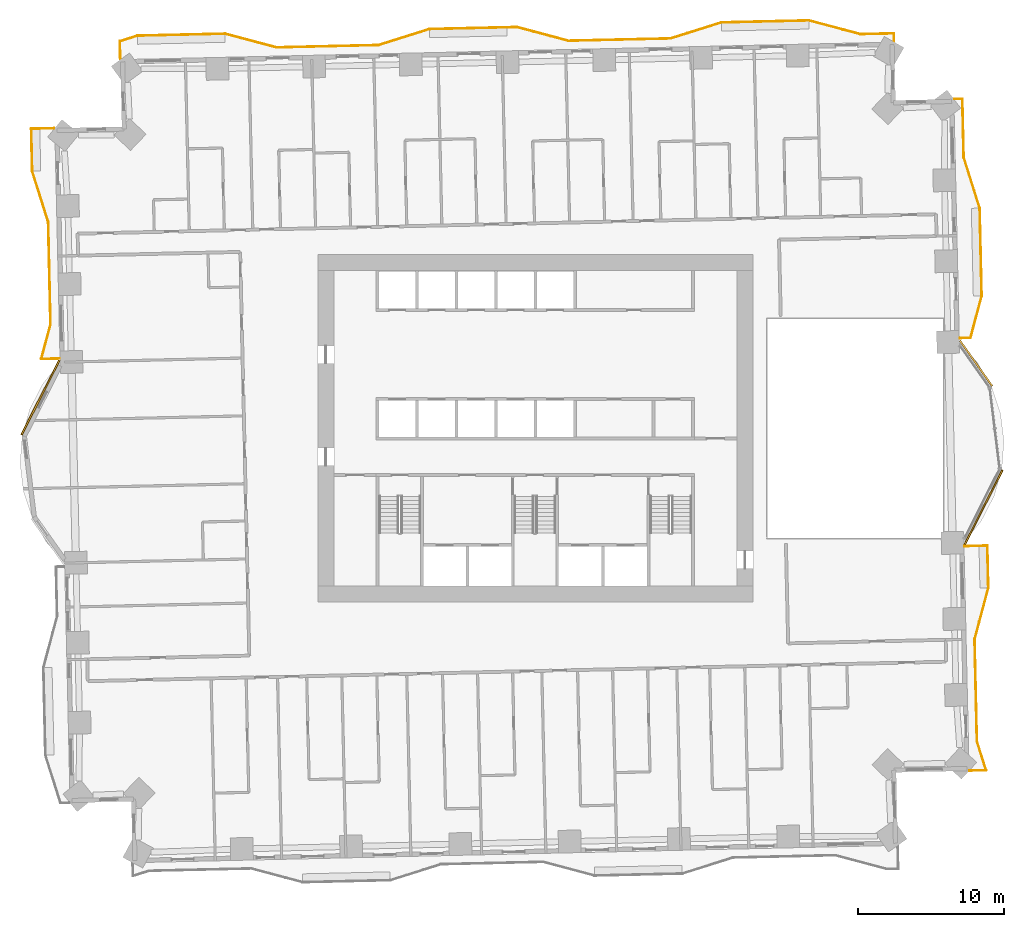
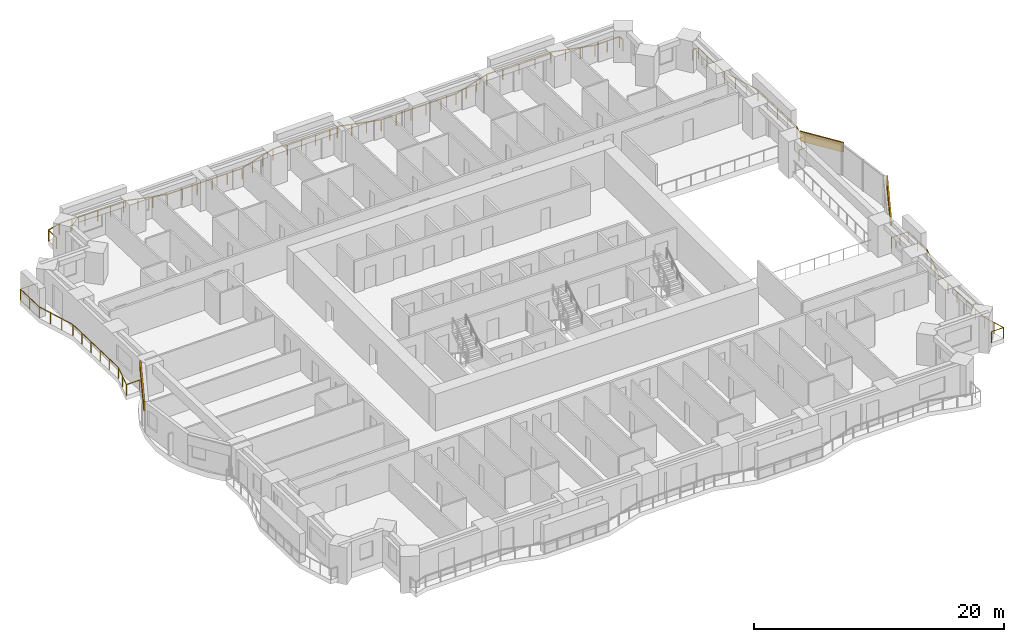
# One storey, part 16 of 16: 4 railings, 3 coverings.
"""IFC4 building model written with IfcOpenShell, lengths in metres."""

from ifc_helpers import new_model, si_unit, direction, frame, frame_2d, origin, origin_2d, place, context, subcontext, project, spatial, rectangle, extrude, material, layer, layer_set, type_object, element, save


model = new_model("IFC4")

# Units and contexts
model_context = context("Model", 3, precision=1e-05, world=origin(), true_north=direction((0.0, 1.0)))
body_context = subcontext(model_context, "Body", "Model", "MODEL_VIEW")
ifc_project = project(units=[si_unit("LENGTHUNIT", "METRE"), si_unit("AREAUNIT", "SQUARE_METRE"), si_unit("VOLUMEUNIT", "CUBIC_METRE"), si_unit("PLANEANGLEUNIT", "RADIAN"), si_unit("MASSUNIT", "GRAM", prefix="KILO")], contexts=[model_context])

# Site, building, storey
site_placement = place(None, origin())
site = spatial("IfcSite", under=ifc_project, at=site_placement, CompositionType="ELEMENT")
building_placement = place(site_placement, origin())
building = spatial("IfcBuilding", under=site, at=building_placement, Name="Mangrove Gate Tower", CompositionType="ELEMENT")
storey_placement = place(building_placement, frame((0.0, 0.0, 37.699951171875)))
storey = spatial("IfcBuildingStorey", under=building, at=storey_placement, Name="L08", CompositionType="ELEMENT", Elevation=37.699951171875)

# Railings
ifc_material_1 = material(Name="Stainless steel grade 316 with laminated glass infill", Category="steel")
railing_type = type_object("IfcRailingType", Name="Balcony guard 1100", PredefinedType="GUARDRAIL", material=ifc_material_1)
railing_1_placement = place(storey_placement, frame((29.742919921875, -23.444091796875, 0.0)))
element("IfcRailing", 1, at=railing_1_placement, inside=storey, type_object=railing_type, Name="GUARD L08 E1", PredefinedType="GUARDRAIL", context=body_context, shape_type="SweptSolid", body=[
    extrude(rectangle(XDim=0.048095703125, YDim=0.048095703125, at=origin_2d()), frame((0.0, 0.0, 1.076171875), z_axis=(0.999751680556, 0.022284012789, 0.0), x_axis=(-0.022284012789, 0.999751680556, 0.0)), (0.0, 0.0, 1.0), 1.12841796875),
    extrude(rectangle(XDim=0.048095703125, YDim=0.048095703125, at=origin_2d()), frame((1.128173828125, 0.025146484375, 1.076171875), z_axis=(-0.301170642091, 0.95357026188, 0.0), x_axis=(-0.95357026188, -0.301170642091, 0.0)), (0.0, 0.0, 1.0), 2.08251953125),
    extrude(rectangle(XDim=0.048095703125, YDim=0.048095703125, at=origin_2d()), frame((0.5009765625, 2.010986328125, 1.076171875), z_axis=(-0.022705559911, 0.999742195543, 0.0), x_axis=(-0.999742195543, -0.022705559911, 0.0)), (0.0, 0.0, 1.0), 6.999755859375),
    extrude(rectangle(XDim=0.048095703125, YDim=0.048095703125, at=origin_2d()), frame((0.342041015625, 9.009033203125, 1.076171875), z_axis=(0.25728750437, 0.966334900588, 0.0), x_axis=(-0.966334900588, 0.25728750437, 0.0)), (0.0, 0.0, 1.0), 3.645751953125),
    extrude(rectangle(XDim=0.048095703125, YDim=0.048095703125, at=origin_2d()), frame((1.280029296875, 12.531982421875, 1.076171875), z_axis=(-0.022590224177, 0.999744808324, 0.0), x_axis=(-0.999744808324, -0.022590224177, 0.0)), (0.0, 0.0, 1.0), 2.874755859375),
    extrude(rectangle(XDim=0.048095703125, YDim=0.048095703125, at=origin_2d()), frame((1.215087890625, 15.406005859375, 1.076171875), z_axis=(-0.999736816093, -0.022941197622, 0.0), x_axis=(0.022941197622, -0.999736816093, 0.0)), (0.0, 0.0, 1.0), 1.564453125),
    extrude(rectangle(XDim=0.0419921875, YDim=0.0419921875, at=origin_2d()), origin(), (0.0, 0.0, 1.0), 1.052001953125),
    extrude(rectangle(XDim=0.0419921875, YDim=0.0419921875, at=origin_2d()), frame((1.128173828125, 0.025146484375, 0.0)), (0.0, 0.0, 1.0), 1.052001953125),
    extrude(rectangle(XDim=0.0419921875, YDim=0.0419921875, at=origin_2d()), frame((0.814453125, 1.01806640625, 0.0)), (0.0, 0.0, 1.0), 1.052001953125),
    extrude(rectangle(XDim=0.0419921875, YDim=0.0419921875, at=origin_2d()), frame((0.5009765625, 2.010986328125, 0.0)), (0.0, 0.0, 1.0), 1.052001953125),
    extrude(rectangle(XDim=0.0419921875, YDim=0.0419921875, at=origin_2d()), frame((0.46923828125, 3.41064453125, 0.0)), (0.0, 0.0, 1.0), 1.052001953125),
    extrude(rectangle(XDim=0.0419921875, YDim=0.0419921875, at=origin_2d()), frame((0.4375, 4.810302734375, 0.0)), (0.0, 0.0, 1.0), 1.052001953125),
    extrude(rectangle(XDim=0.0419921875, YDim=0.0419921875, at=origin_2d()), frame((0.405517578125, 6.209716796875, 0.0)), (0.0, 0.0, 1.0), 1.052001953125),
    extrude(rectangle(XDim=0.0419921875, YDim=0.0419921875, at=origin_2d()), frame((0.373779296875, 7.609375, 0.0)), (0.0, 0.0, 1.0), 1.052001953125),
    extrude(rectangle(XDim=0.0419921875, YDim=0.0419921875, at=origin_2d()), frame((0.342041015625, 9.009033203125, 0.0)), (0.0, 0.0, 1.0), 1.052001953125),
    extrude(rectangle(XDim=0.0419921875, YDim=0.0419921875, at=origin_2d()), frame((0.65478515625, 10.183349609375, 0.0)), (0.0, 0.0, 1.0), 1.052001953125),
    extrude(rectangle(XDim=0.0419921875, YDim=0.0419921875, at=origin_2d()), frame((0.96728515625, 11.357666015625, 0.0)), (0.0, 0.0, 1.0), 1.052001953125),
    extrude(rectangle(XDim=0.0419921875, YDim=0.0419921875, at=origin_2d()), frame((1.280029296875, 12.531982421875, 0.0)), (0.0, 0.0, 1.0), 1.052001953125),
    extrude(rectangle(XDim=0.0419921875, YDim=0.0419921875, at=origin_2d()), frame((1.24755859375, 13.968994140625, 0.0)), (0.0, 0.0, 1.0), 1.052001953125),
    extrude(rectangle(XDim=0.0419921875, YDim=0.0419921875, at=origin_2d()), frame((1.215087890625, 15.406005859375, 0.0)), (0.0, 0.0, 1.0), 1.052001953125),
    extrude(rectangle(XDim=0.0419921875, YDim=0.0419921875, at=origin_2d()), frame((0.43310546875, 15.38818359375, 0.0)), (0.0, 0.0, 1.0), 1.052001953125),
    extrude(rectangle(XDim=0.0419921875, YDim=0.0419921875, at=origin_2d()), frame((-0.348876953125, 15.3701171875, 0.0)), (0.0, 0.0, 1.0), 1.052001953125),
])
railing_2_placement = place(storey_placement, frame((29.070068359375, 6.173095703125, 0.0)))
element("IfcRailing", 2, at=railing_2_placement, inside=storey, type_object=railing_type, Name="GUARD L08 E2", PredefinedType="GUARDRAIL", context=body_context, shape_type="SweptSolid", body=[
    extrude(rectangle(XDim=0.048095703125, YDim=0.048095703125, at=origin_2d()), frame((0.0, 0.0, 1.076171875), z_axis=(0.999733120819, 0.02310166957, 0.0), x_axis=(-0.02310166957, 0.999733120819, 0.0)), (0.0, 0.0, 1.0), 0.729248046875),
    extrude(rectangle(XDim=0.048095703125, YDim=0.048095703125, at=origin_2d()), frame((0.72900390625, 0.016845703125, 1.076171875), z_axis=(0.257205811542, 0.966356647677, 0.0), x_axis=(-0.966356647677, 0.257205811542, 0.0)), (0.0, 0.0, 1.0), 2.993896484375),
    extrude(rectangle(XDim=0.048095703125, YDim=0.048095703125, at=origin_2d()), frame((1.4990234375, 2.909912109375, 1.076171875), z_axis=(-0.022665943652, 0.999743094499, 0.0), x_axis=(-0.999743094499, -0.022665943652, 0.0)), (0.0, 0.0, 1.0), 5.99951171875),
    extrude(rectangle(XDim=0.048095703125, YDim=0.048095703125, at=origin_2d()), frame((1.363037109375, 8.907958984375, 1.076171875), z_axis=(-0.300772281992, 0.953695986353, 0.0), x_axis=(-0.953695986353, -0.300772281992, 0.0)), (0.0, 0.0, 1.0), 3.64453125),
    extrude(rectangle(XDim=0.048095703125, YDim=0.048095703125, at=origin_2d()), frame((0.266845703125, 12.3837890625, 1.076171875), z_axis=(-0.022704768219, 0.999742213523, 0.0), x_axis=(-0.999742213523, -0.022704768219, 0.0)), (0.0, 0.0, 1.0), 4.0),
    extrude(rectangle(XDim=0.048095703125, YDim=0.048095703125, at=origin_2d()), frame((0.176025390625, 16.3828125, 1.076171875), z_axis=(-0.999761041347, -0.021860013845, 0.0), x_axis=(0.021860013845, -0.999761041347, 0.0)), (0.0, 0.0, 1.0), 0.54736328125),
    extrude(rectangle(XDim=0.0419921875, YDim=0.0419921875, at=origin_2d()), origin(), (0.0, 0.0, 1.0), 1.052001953125),
    extrude(rectangle(XDim=0.0419921875, YDim=0.0419921875, at=origin_2d()), frame((0.72900390625, 0.016845703125, 0.0)), (0.0, 0.0, 1.0), 1.052001953125),
    extrude(rectangle(XDim=0.0419921875, YDim=0.0419921875, at=origin_2d()), frame((1.114013671875, 1.46337890625, 0.0)), (0.0, 0.0, 1.0), 1.052001953125),
    extrude(rectangle(XDim=0.0419921875, YDim=0.0419921875, at=origin_2d()), frame((1.4990234375, 2.909912109375, 0.0)), (0.0, 0.0, 1.0), 1.052001953125),
    extrude(rectangle(XDim=0.0419921875, YDim=0.0419921875, at=origin_2d()), frame((1.465087890625, 4.409423828125, 0.0)), (0.0, 0.0, 1.0), 1.052001953125),
    extrude(rectangle(XDim=0.0419921875, YDim=0.0419921875, at=origin_2d()), frame((1.43115234375, 5.908935546875, 0.0)), (0.0, 0.0, 1.0), 1.052001953125),
    extrude(rectangle(XDim=0.0419921875, YDim=0.0419921875, at=origin_2d()), frame((1.39697265625, 7.408447265625, 0.0)), (0.0, 0.0, 1.0), 1.052001953125),
    extrude(rectangle(XDim=0.0419921875, YDim=0.0419921875, at=origin_2d()), frame((1.363037109375, 8.907958984375, 0.0)), (0.0, 0.0, 1.0), 1.052001953125),
    extrude(rectangle(XDim=0.0419921875, YDim=0.0419921875, at=origin_2d()), frame((0.99755859375, 10.066650390625, 0.0)), (0.0, 0.0, 1.0), 1.052001953125),
    extrude(rectangle(XDim=0.0419921875, YDim=0.0419921875, at=origin_2d()), frame((0.63232421875, 11.22509765625, 0.0)), (0.0, 0.0, 1.0), 1.052001953125),
    extrude(rectangle(XDim=0.0419921875, YDim=0.0419921875, at=origin_2d()), frame((0.266845703125, 12.3837890625, 0.0)), (0.0, 0.0, 1.0), 1.052001953125),
    extrude(rectangle(XDim=0.0419921875, YDim=0.0419921875, at=origin_2d()), frame((0.236572265625, 13.716796875, 0.0)), (0.0, 0.0, 1.0), 1.052001953125),
    extrude(rectangle(XDim=0.0419921875, YDim=0.0419921875, at=origin_2d()), frame((0.206298828125, 15.0498046875, 0.0)), (0.0, 0.0, 1.0), 1.052001953125),
    extrude(rectangle(XDim=0.0419921875, YDim=0.0419921875, at=origin_2d()), frame((0.176025390625, 16.3828125, 0.0)), (0.0, 0.0, 1.0), 1.052001953125),
    extrude(rectangle(XDim=0.0419921875, YDim=0.0419921875, at=origin_2d()), frame((-0.37109375, 16.370849609375, 0.0)), (0.0, 0.0, 1.0), 1.052001953125),
])
railing_3_placement = place(storey_placement, frame((24.568115234375, 26.490966796875, 0.0)))
element("IfcRailing", 3, at=railing_3_placement, inside=storey, type_object=railing_type, Name="GUARD L08 N1", PredefinedType="GUARDRAIL", context=body_context, shape_type="SweptSolid", body=[
    extrude(rectangle(XDim=0.048095703125, YDim=0.048095703125, at=origin_2d()), frame((0.0, 0.0, 1.076171875), z_axis=(-0.022305916825, 0.999751192085, 0.0), x_axis=(-0.999751192085, -0.022305916825, 0.0)), (0.0, 0.0, 1.0), 0.54736328125),
    extrude(rectangle(XDim=0.048095703125, YDim=0.048095703125, at=origin_2d()), frame((-0.01220703125, 0.547119140625, 1.076171875), z_axis=(-0.999744241736, -0.022615284993, 0.0), x_axis=(0.022615284993, -0.999744241736, 0.0)), (0.0, 0.0, 1.0), 2.29931640625),
    extrude(rectangle(XDim=0.048095703125, YDim=0.048095703125, at=origin_2d()), frame((-2.31103515625, 0.4951171875, 1.076171875), z_axis=(-0.966405896063, 0.257020707442, 0.0), x_axis=(-0.257020707442, -0.966405896063, 0.0)), (0.0, 0.0, 1.0), 3.645751953125),
    extrude(rectangle(XDim=0.048095703125, YDim=0.048095703125, at=origin_2d()), frame((-5.834228515625, 1.43212890625, 1.076171875), z_axis=(-0.999743073592, -0.022666865795, 0.0), x_axis=(0.022666865795, -0.999743073592, 0.0)), (0.0, 0.0, 1.0), 5.999267578125),
    extrude(rectangle(XDim=0.048095703125, YDim=0.048095703125, at=origin_2d()), frame((-11.83203125, 1.296142578125, 1.076171875), z_axis=(-0.953702045695, -0.30075306821, 0.0), x_axis=(0.30075306821, -0.953702045695, 0.0)), (0.0, 0.0, 1.0), 3.644775390625),
    extrude(rectangle(XDim=0.048095703125, YDim=0.048095703125, at=origin_2d()), frame((-15.30810546875, 0.199951171875, 1.076171875), z_axis=(-0.999742195543, -0.022705559911, 0.0), x_axis=(0.022705559911, -0.999742195543, 0.0)), (0.0, 0.0, 1.0), 6.999755859375),
    extrude(rectangle(XDim=0.048095703125, YDim=0.048095703125, at=origin_2d()), frame((-22.30615234375, 0.041015625, 1.076171875), z_axis=(-0.966317161661, 0.257354119999, 0.0), x_axis=(-0.257354119999, -0.966317161661, 0.0)), (0.0, 0.0, 1.0), 3.644775390625),
    extrude(rectangle(XDim=0.048095703125, YDim=0.048095703125, at=origin_2d()), frame((-25.828125, 0.97900390625, 1.076171875), z_axis=(-0.999743094177, -0.022665957838, 0.0), x_axis=(0.022665957838, -0.999743094177, 0.0)), (0.0, 0.0, 1.0), 0.7001953125),
    extrude(rectangle(XDim=0.048095703125, YDim=0.048095703125, at=origin_2d()), frame((-26.528076171875, 0.963134765625, 1.076171875), z_axis=(-0.999743189186, -0.022661766832, 0.0), x_axis=(0.022661766832, -0.999743189186, 0.0)), (0.0, 0.0, 1.0), 5.300537109375),
    extrude(rectangle(XDim=0.048095703125, YDim=0.048095703125, at=origin_2d()), frame((-31.8271484375, 0.843017578125, 1.076171875), z_axis=(-0.953644393819, -0.300935823952, 0.0), x_axis=(0.300935823952, -0.953644393819, 0.0)), (0.0, 0.0, 1.0), 3.64501953125),
    extrude(rectangle(XDim=0.048095703125, YDim=0.048095703125, at=origin_2d()), frame((-35.30322265625, -0.25390625, 1.076171875), z_axis=(-0.999741385179, -0.022741212823, 0.0), x_axis=(0.022741212823, -0.999741385179, 0.0)), (0.0, 0.0, 1.0), 6.99951171875),
    extrude(rectangle(XDim=0.048095703125, YDim=0.048095703125, at=origin_2d()), frame((-42.301025390625, -0.4130859375, 1.076171875), z_axis=(-0.966300501857, 0.257416666341, 0.0), x_axis=(-0.257416666341, -0.966300501857, 0.0)), (0.0, 0.0, 1.0), 3.644775390625),
    extrude(rectangle(XDim=0.048095703125, YDim=0.048095703125, at=origin_2d()), frame((-45.822998046875, 0.525146484375, 1.076171875), z_axis=(-0.999742255469, -0.022702921152, 0.0), x_axis=(0.022702921152, -0.999742255469, 0.0)), (0.0, 0.0, 1.0), 6.00048828125),
    extrude(rectangle(XDim=0.048095703125, YDim=0.048095703125, at=origin_2d()), frame((-51.822021484375, 0.388916015625, 1.076171875), z_axis=(-0.953694766475, -0.300776149984, 0.0), x_axis=(0.300776149984, -0.953694766475, 0.0)), (0.0, 0.0, 1.0), 1.25),
    extrude(rectangle(XDim=0.048095703125, YDim=0.048095703125, at=origin_2d()), frame((-53.01416015625, 0.012939453125, 1.076171875), z_axis=(0.023104762997, -0.999733049332, 0.0), x_axis=(0.999733049332, 0.023104762997, 0.0)), (0.0, 0.0, 1.0), 1.215087890625),
    extrude(rectangle(XDim=0.0419921875, YDim=0.0419921875, at=origin_2d()), origin(), (0.0, 0.0, 1.0), 1.052001953125),
    extrude(rectangle(XDim=0.0419921875, YDim=0.0419921875, at=origin_2d()), frame((-0.01220703125, 0.547119140625, 0.0)), (0.0, 0.0, 1.0), 1.052001953125),
    extrude(rectangle(XDim=0.0419921875, YDim=0.0419921875, at=origin_2d()), frame((-1.16162109375, 0.52099609375, 0.0)), (0.0, 0.0, 1.0), 1.052001953125),
    extrude(rectangle(XDim=0.0419921875, YDim=0.0419921875, at=origin_2d()), frame((-2.31103515625, 0.4951171875, 0.0)), (0.0, 0.0, 1.0), 1.052001953125),
    extrude(rectangle(XDim=0.0419921875, YDim=0.0419921875, at=origin_2d()), frame((-3.4853515625, 0.807373046875, 0.0)), (0.0, 0.0, 1.0), 1.052001953125),
    extrude(rectangle(XDim=0.0419921875, YDim=0.0419921875, at=origin_2d()), frame((-4.659912109375, 1.119873046875, 0.0)), (0.0, 0.0, 1.0), 1.052001953125),
    extrude(rectangle(XDim=0.0419921875, YDim=0.0419921875, at=origin_2d()), frame((-5.834228515625, 1.43212890625, 0.0)), (0.0, 0.0, 1.0), 1.052001953125),
    extrude(rectangle(XDim=0.0419921875, YDim=0.0419921875, at=origin_2d()), frame((-7.333740234375, 1.398193359375, 0.0)), (0.0, 0.0, 1.0), 1.052001953125),
    extrude(rectangle(XDim=0.0419921875, YDim=0.0419921875, at=origin_2d()), frame((-8.8330078125, 1.3642578125, 0.0)), (0.0, 0.0, 1.0), 1.052001953125),
    extrude(rectangle(XDim=0.0419921875, YDim=0.0419921875, at=origin_2d()), frame((-10.33251953125, 1.330078125, 0.0)), (0.0, 0.0, 1.0), 1.052001953125),
    extrude(rectangle(XDim=0.0419921875, YDim=0.0419921875, at=origin_2d()), frame((-11.83203125, 1.296142578125, 0.0)), (0.0, 0.0, 1.0), 1.052001953125),
    extrude(rectangle(XDim=0.0419921875, YDim=0.0419921875, at=origin_2d()), frame((-12.99072265625, 0.9306640625, 0.0)), (0.0, 0.0, 1.0), 1.052001953125),
    extrude(rectangle(XDim=0.0419921875, YDim=0.0419921875, at=origin_2d()), frame((-14.1494140625, 0.5654296875, 0.0)), (0.0, 0.0, 1.0), 1.052001953125),
    extrude(rectangle(XDim=0.0419921875, YDim=0.0419921875, at=origin_2d()), frame((-15.30810546875, 0.199951171875, 0.0)), (0.0, 0.0, 1.0), 1.052001953125),
    extrude(rectangle(XDim=0.0419921875, YDim=0.0419921875, at=origin_2d()), frame((-16.707763671875, 0.168212890625, 0.0)), (0.0, 0.0, 1.0), 1.052001953125),
    extrude(rectangle(XDim=0.0419921875, YDim=0.0419921875, at=origin_2d()), frame((-18.107421875, 0.136474609375, 0.0)), (0.0, 0.0, 1.0), 1.052001953125),
    extrude(rectangle(XDim=0.0419921875, YDim=0.0419921875, at=origin_2d()), frame((-19.5068359375, 0.1044921875, 0.0)), (0.0, 0.0, 1.0), 1.052001953125),
    extrude(rectangle(XDim=0.0419921875, YDim=0.0419921875, at=origin_2d()), frame((-20.906494140625, 0.07275390625, 0.0)), (0.0, 0.0, 1.0), 1.052001953125),
    extrude(rectangle(XDim=0.0419921875, YDim=0.0419921875, at=origin_2d()), frame((-22.30615234375, 0.041015625, 0.0)), (0.0, 0.0, 1.0), 1.052001953125),
    extrude(rectangle(XDim=0.0419921875, YDim=0.0419921875, at=origin_2d()), frame((-23.480224609375, 0.353759765625, 0.0)), (0.0, 0.0, 1.0), 1.052001953125),
    extrude(rectangle(XDim=0.0419921875, YDim=0.0419921875, at=origin_2d()), frame((-24.654052734375, 0.666259765625, 0.0)), (0.0, 0.0, 1.0), 1.052001953125),
    extrude(rectangle(XDim=0.0419921875, YDim=0.0419921875, at=origin_2d()), frame((-25.828125, 0.97900390625, 0.0)), (0.0, 0.0, 1.0), 1.052001953125),
    extrude(rectangle(XDim=0.0419921875, YDim=0.0419921875, at=origin_2d()), frame((-26.528076171875, 0.963134765625, 0.0)), (0.0, 0.0, 1.0), 1.052001953125),
    extrude(rectangle(XDim=0.0419921875, YDim=0.0419921875, at=origin_2d()), frame((-27.852783203125, 0.93310546875, 0.0)), (0.0, 0.0, 1.0), 1.052001953125),
    extrude(rectangle(XDim=0.0419921875, YDim=0.0419921875, at=origin_2d()), frame((-29.177734375, 0.903076171875, 0.0)), (0.0, 0.0, 1.0), 1.052001953125),
    extrude(rectangle(XDim=0.0419921875, YDim=0.0419921875, at=origin_2d()), frame((-30.50244140625, 0.873046875, 0.0)), (0.0, 0.0, 1.0), 1.052001953125),
    extrude(rectangle(XDim=0.0419921875, YDim=0.0419921875, at=origin_2d()), frame((-31.8271484375, 0.843017578125, 0.0)), (0.0, 0.0, 1.0), 1.052001953125),
    extrude(rectangle(XDim=0.0419921875, YDim=0.0419921875, at=origin_2d()), frame((-32.98583984375, 0.477294921875, 0.0)), (0.0, 0.0, 1.0), 1.052001953125),
    extrude(rectangle(XDim=0.0419921875, YDim=0.0419921875, at=origin_2d()), frame((-34.14453125, 0.11181640625, 0.0)), (0.0, 0.0, 1.0), 1.052001953125),
    extrude(rectangle(XDim=0.0419921875, YDim=0.0419921875, at=origin_2d()), frame((-35.30322265625, -0.25390625, 0.0)), (0.0, 0.0, 1.0), 1.052001953125),
    extrude(rectangle(XDim=0.0419921875, YDim=0.0419921875, at=origin_2d()), frame((-36.702880859375, -0.28564453125, 0.0)), (0.0, 0.0, 1.0), 1.052001953125),
    extrude(rectangle(XDim=0.0419921875, YDim=0.0419921875, at=origin_2d()), frame((-38.102294921875, -0.317626953125, 0.0)), (0.0, 0.0, 1.0), 1.052001953125),
    extrude(rectangle(XDim=0.0419921875, YDim=0.0419921875, at=origin_2d()), frame((-39.501953125, -0.349365234375, 0.0)), (0.0, 0.0, 1.0), 1.052001953125),
    extrude(rectangle(XDim=0.0419921875, YDim=0.0419921875, at=origin_2d()), frame((-40.9013671875, -0.38134765625, 0.0)), (0.0, 0.0, 1.0), 1.052001953125),
    extrude(rectangle(XDim=0.0419921875, YDim=0.0419921875, at=origin_2d()), frame((-42.301025390625, -0.4130859375, 0.0)), (0.0, 0.0, 1.0), 1.052001953125),
    extrude(rectangle(XDim=0.0419921875, YDim=0.0419921875, at=origin_2d()), frame((-43.47509765625, -0.100341796875, 0.0)), (0.0, 0.0, 1.0), 1.052001953125),
    extrude(rectangle(XDim=0.0419921875, YDim=0.0419921875, at=origin_2d()), frame((-44.64892578125, 0.21240234375, 0.0)), (0.0, 0.0, 1.0), 1.052001953125),
    extrude(rectangle(XDim=0.0419921875, YDim=0.0419921875, at=origin_2d()), frame((-45.822998046875, 0.525146484375, 0.0)), (0.0, 0.0, 1.0), 1.052001953125),
    extrude(rectangle(XDim=0.0419921875, YDim=0.0419921875, at=origin_2d()), frame((-47.022705078125, 0.497802734375, 0.0)), (0.0, 0.0, 1.0), 1.052001953125),
    extrude(rectangle(XDim=0.0419921875, YDim=0.0419921875, at=origin_2d()), frame((-48.22265625, 0.470703125, 0.0)), (0.0, 0.0, 1.0), 1.052001953125),
    extrude(rectangle(XDim=0.0419921875, YDim=0.0419921875, at=origin_2d()), frame((-49.42236328125, 0.443359375, 0.0)), (0.0, 0.0, 1.0), 1.052001953125),
    extrude(rectangle(XDim=0.0419921875, YDim=0.0419921875, at=origin_2d()), frame((-50.622314453125, 0.416259765625, 0.0)), (0.0, 0.0, 1.0), 1.052001953125),
    extrude(rectangle(XDim=0.0419921875, YDim=0.0419921875, at=origin_2d()), frame((-51.822021484375, 0.388916015625, 0.0)), (0.0, 0.0, 1.0), 1.052001953125),
    extrude(rectangle(XDim=0.0419921875, YDim=0.0419921875, at=origin_2d()), frame((-53.01416015625, 0.012939453125, 0.0)), (0.0, 0.0, 1.0), 1.052001953125),
    extrude(rectangle(XDim=0.0419921875, YDim=0.0419921875, at=origin_2d()), frame((-52.986083984375, -1.201904296875, 0.0)), (0.0, 0.0, 1.0), 1.052001953125),
])
railing_4_placement = place(storey_placement, frame((-32.951904296875, 20.5439453125, 0.0)))
element("IfcRailing", 4, at=railing_4_placement, inside=storey, type_object=railing_type, Name="GUARD L08 W1", PredefinedType="GUARDRAIL", context=body_context, shape_type="SweptSolid", body=[
    extrude(rectangle(XDim=0.048095703125, YDim=0.048095703125, at=origin_2d()), frame((0.0, 0.0, 1.076171875), z_axis=(-0.999751016591, -0.022313781079, 0.0), x_axis=(0.022313781079, -0.999751016591, 0.0)), (0.0, 0.0, 1.0), 1.564697265625),
    extrude(rectangle(XDim=0.048095703125, YDim=0.048095703125, at=origin_2d()), frame((-1.564208984375, -0.034912109375, 1.076171875), z_axis=(0.022817032779, -0.999739657619, 0.0), x_axis=(0.999739657619, 0.022817032779, 0.0)), (0.0, 0.0, 1.0), 2.899658203125),
    extrude(rectangle(XDim=0.048095703125, YDim=0.048095703125, at=origin_2d()), frame((-1.498046875, -2.933837890625, 1.076171875), z_axis=(0.300935823952, -0.953644393819, 0.0), x_axis=(0.953644393819, 0.300935823952, 0.0)), (0.0, 0.0, 1.0), 3.64501953125),
    extrude(rectangle(XDim=0.048095703125, YDim=0.048095703125, at=origin_2d()), frame((-0.401123046875, -6.409912109375, 1.076171875), z_axis=(0.022705559911, -0.999742195543, 0.0), x_axis=(0.999742195543, 0.022705559911, 0.0)), (0.0, 0.0, 1.0), 6.999755859375),
    extrude(rectangle(XDim=0.048095703125, YDim=0.048095703125, at=origin_2d()), frame((-0.2421875, -13.407958984375, 1.076171875), z_axis=(-0.25753362935, -0.966269336031, 0.0), x_axis=(0.966269336031, -0.25753362935, 0.0)), (0.0, 0.0, 1.0), 2.473388671875),
    extrude(rectangle(XDim=0.048095703125, YDim=0.048095703125, at=origin_2d()), frame((-0.879150390625, -15.7978515625, 1.076171875), z_axis=(0.999747004345, 0.022492827806, 0.0), x_axis=(-0.022492827806, 0.999747004345, 0.0)), (0.0, 0.0, 1.0), 1.2373046875),
    extrude(rectangle(XDim=0.0419921875, YDim=0.0419921875, at=origin_2d()), origin(), (0.0, 0.0, 1.0), 1.052001953125),
    extrude(rectangle(XDim=0.0419921875, YDim=0.0419921875, at=origin_2d()), frame((-0.7822265625, -0.017578125, 0.0)), (0.0, 0.0, 1.0), 1.052001953125),
    extrude(rectangle(XDim=0.0419921875, YDim=0.0419921875, at=origin_2d()), frame((-1.564208984375, -0.034912109375, 0.0)), (0.0, 0.0, 1.0), 1.052001953125),
    extrude(rectangle(XDim=0.0419921875, YDim=0.0419921875, at=origin_2d()), frame((-1.53125, -1.484375, 0.0)), (0.0, 0.0, 1.0), 1.052001953125),
    extrude(rectangle(XDim=0.0419921875, YDim=0.0419921875, at=origin_2d()), frame((-1.498046875, -2.933837890625, 0.0)), (0.0, 0.0, 1.0), 1.052001953125),
    extrude(rectangle(XDim=0.0419921875, YDim=0.0419921875, at=origin_2d()), frame((-1.13232421875, -4.092529296875, 0.0)), (0.0, 0.0, 1.0), 1.052001953125),
    extrude(rectangle(XDim=0.0419921875, YDim=0.0419921875, at=origin_2d()), frame((-0.766845703125, -5.251220703125, 0.0)), (0.0, 0.0, 1.0), 1.052001953125),
    extrude(rectangle(XDim=0.0419921875, YDim=0.0419921875, at=origin_2d()), frame((-0.401123046875, -6.409912109375, 0.0)), (0.0, 0.0, 1.0), 1.052001953125),
    extrude(rectangle(XDim=0.0419921875, YDim=0.0419921875, at=origin_2d()), frame((-0.369384765625, -7.8095703125, 0.0)), (0.0, 0.0, 1.0), 1.052001953125),
    extrude(rectangle(XDim=0.0419921875, YDim=0.0419921875, at=origin_2d()), frame((-0.337646484375, -9.209228515625, 0.0)), (0.0, 0.0, 1.0), 1.052001953125),
    extrude(rectangle(XDim=0.0419921875, YDim=0.0419921875, at=origin_2d()), frame((-0.3056640625, -10.608642578125, 0.0)), (0.0, 0.0, 1.0), 1.052001953125),
    extrude(rectangle(XDim=0.0419921875, YDim=0.0419921875, at=origin_2d()), frame((-0.27392578125, -12.00830078125, 0.0)), (0.0, 0.0, 1.0), 1.052001953125),
    extrude(rectangle(XDim=0.0419921875, YDim=0.0419921875, at=origin_2d()), frame((-0.2421875, -13.407958984375, 0.0)), (0.0, 0.0, 1.0), 1.052001953125),
    extrude(rectangle(XDim=0.0419921875, YDim=0.0419921875, at=origin_2d()), frame((-0.560546875, -14.60302734375, 0.0)), (0.0, 0.0, 1.0), 1.052001953125),
    extrude(rectangle(XDim=0.0419921875, YDim=0.0419921875, at=origin_2d()), frame((-0.879150390625, -15.7978515625, 0.0)), (0.0, 0.0, 1.0), 1.052001953125),
    extrude(rectangle(XDim=0.0419921875, YDim=0.0419921875, at=origin_2d()), frame((0.35791015625, -15.77001953125, 0.0)), (0.0, 0.0, 1.0), 1.052001953125),
])

# Coverings
ifc_material_2 = material(Name="Limestone", Category="masonry")
ifc_layer_1 = layer(ifc_material_2, 0.0400390625, Name="Limestone cladding")
ifc_material_3 = material(Name="Stainless steel anchors and cavity", Category="steel")
ifc_layer_2 = layer(ifc_material_3, 0.080078125, Name="Fixing cavity")
ifc_layer_set = layer_set([ifc_layer_1, ifc_layer_2], Name="Joint fascia cladding 120")
covering_type = type_object("IfcCoveringType", Name="Joint fascia cladding 120", PredefinedType="CLADDING", material=ifc_layer_set)
covering_1_placement = place(storey_placement, frame((29.401123046875, -7.947509765625, 2.10009765625), z_axis=(0.0, 0.0, 1.0), x_axis=(0.452615399326, 0.89170583731, 0.0)))
element("IfcCovering", 5, at=covering_1_placement, inside=storey, type_object=covering_type, Name="STONE FASCIA L08 E1.L1", PredefinedType="CLADDING", context=body_context, shape_type="SweptSolid", body=[
    extrude(rectangle(XDim=5.7041015625, YDim=0.1201171875, at=frame_2d((2.85205078125, 0.0))), origin(), (0.0, 0.0, 1.0), 0.949951171875),
])
covering_2_placement = place(storey_placement, frame((31.285888671875, 2.886962890625, 2.10009765625), z_axis=(0.0, 0.0, 1.0), x_axis=(-0.578168098379, 0.815917673553, 0.0)))
element("IfcCovering", 6, at=covering_2_placement, inside=storey, type_object=covering_type, Name="STONE FASCIA L08 E1.L2", PredefinedType="CLADDING", context=body_context, shape_type="SweptSolid", body=[
    extrude(rectangle(XDim=3.819091796875, YDim=0.1201171875, at=frame_2d((1.90966796875, 0.0))), origin(), (0.0, 0.0, 1.0), 0.949951171875),
])
covering_3_placement = place(storey_placement, frame((-32.601318359375, 4.6474609375, 2.10009765625), z_axis=(0.0, 0.0, 1.0), x_axis=(-0.452615399326, -0.89170583731, 0.0)))
element("IfcCovering", 7, at=covering_3_placement, inside=storey, type_object=covering_type, Name="STONE FASCIA L08 W9.L1", PredefinedType="CLADDING", context=body_context, shape_type="SweptSolid", body=[
    extrude(rectangle(XDim=5.7041015625, YDim=0.1201171875, at=frame_2d((2.85205078125, 0.0))), origin(), (0.0, 0.0, 1.0), 0.949951171875),
])

save(model, "model.ifc")
